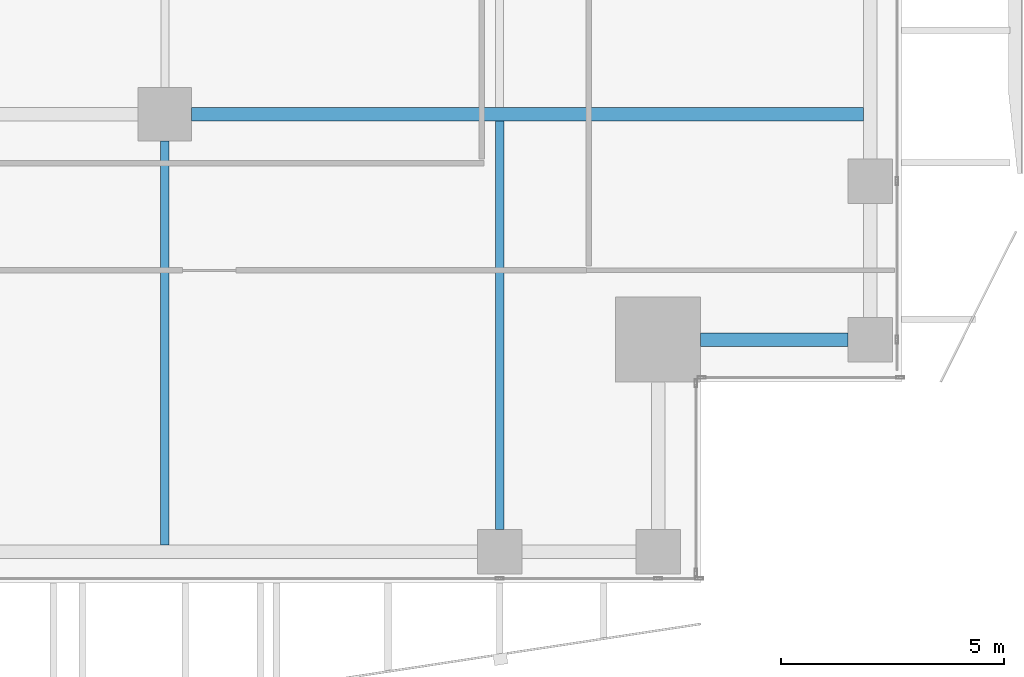
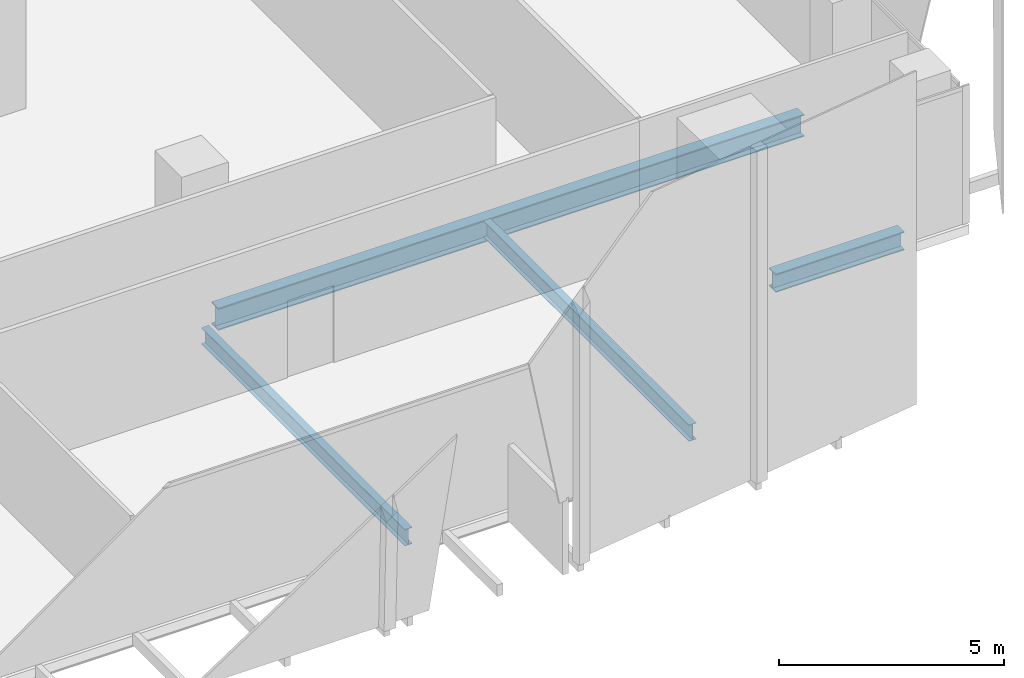
# One storey, part 10 of 35: 4 beams.
"""IFC4 building model written with IfcOpenShell, lengths in metres."""

from ifc_helpers import new_model, si_unit, direction, frame, origin, origin_2d, place, context, subcontext, project, spatial, i_section, extrude, source, transform, mapped, material, material_profile, profile_set, type_object, element, save


model = new_model("IFC4")

# Units and contexts
model_context = context("Model", 3, precision=1e-05, world=origin(), true_north=direction((0.0, 1.0)))
body_context = subcontext(model_context, "Body", "Model", "MODEL_VIEW")
ifc_project = project(units=[si_unit("LENGTHUNIT", "METRE"), si_unit("AREAUNIT", "SQUARE_METRE"), si_unit("VOLUMEUNIT", "CUBIC_METRE"), si_unit("PLANEANGLEUNIT", "RADIAN"), si_unit("MASSUNIT", "GRAM", prefix="KILO")], contexts=[model_context])

# Site, building, storey
site_placement = place(None, origin())
site = spatial("IfcSite", under=ifc_project, at=site_placement, CompositionType="ELEMENT")
building_placement = place(site_placement, origin())
building = spatial("IfcBuilding", under=site, at=building_placement, Name="Khomas Fold Tower", CompositionType="ELEMENT")
storey_placement = place(building_placement, frame((0.0, 0.0, 212.699951171875)))
storey = spatial("IfcBuildingStorey", under=building, at=storey_placement, Name="L47", CompositionType="ELEMENT", Elevation=212.699951171875)

# Beams
ifc_material_1 = material(Name="Steel S355", Category="steel")
ifc_material_profile_1 = material_profile(ifc_material_1, i_section(OverallWidth=0.300048828125, OverallDepth=0.5, WebThickness=0.014404296875, FlangeThickness=0.028076171875, at=origin_2d()), Name="HE 500 B")
ifc_profile_set_1 = profile_set([ifc_material_profile_1], Name="Steel S355")
beam_type_1 = type_object("IfcBeamType", Name="HE 500 B spandrel SB3", PredefinedType="SPANDREL", material=ifc_profile_set_1)
shared_shape_1 = source(origin(), body_context, "Body", "SweptSolid", [
    extrude(i_section(OverallWidth=0.300048828125, OverallDepth=0.5, WebThickness=0.014404296875, FlangeThickness=0.028076171875, at=origin_2d()), origin(), (0.0, 0.0, 1.0), 3.300048828125),
])
beam_1_placement = place(storey_placement, frame((46.5, 8.449951171875, -0.5), z_axis=(1.0, 0.0, 0.0), x_axis=(0.0, 1.0, 0.0)))
element("IfcBeam", 1, at=beam_1_placement, inside=storey, type_object=beam_type_1, Name="SB3", PredefinedType="SPANDREL", context=body_context, shape_type="MappedRepresentation", body=[
    mapped(shared_shape_1, transform((0.0, 0.0, 0.0))),
])
ifc_material_2 = material(Name="Steel S355", Category="steel")
ifc_material_profile_2 = material_profile(ifc_material_2, i_section(OverallWidth=0.300048828125, OverallDepth=0.60009765625, WebThickness=0.015380859375, FlangeThickness=0.030029296875, at=origin_2d()), Name="HE 600 B")
ifc_profile_set_2 = profile_set([ifc_material_profile_2], Name="Steel S355")
beam_type_2 = type_object("IfcBeamType", Name="HE 600 B beam GB5", PredefinedType="BEAM", material=ifc_profile_set_2)
shared_shape_2 = source(origin(), body_context, "Body", "SweptSolid", [
    extrude(i_section(OverallWidth=0.300048828125, OverallDepth=0.60009765625, WebThickness=0.015380859375, FlangeThickness=0.030029296875, at=origin_2d()), origin(), (0.0, 0.0, 1.0), 15.0498046875),
])
beam_2_placement = place(storey_placement, frame((35.10009765625, 13.5, -0.550048828125), z_axis=(1.0, 0.0, 0.0), x_axis=(0.0, 1.0, 0.0)))
element("IfcBeam", 2, at=beam_2_placement, inside=storey, type_object=beam_type_2, Name="GB5", PredefinedType="BEAM", context=body_context, shape_type="MappedRepresentation", body=[
    mapped(shared_shape_2, transform((0.0, 0.0, 0.0))),
])
ifc_material_3 = material(Name="Steel S355", Category="steel")
ifc_material_profile_3 = material_profile(ifc_material_3, i_section(OverallWidth=0.18994140625, OverallDepth=0.449951171875, WebThickness=0.009521484375, FlangeThickness=0.0146484375, at=origin_2d()), Name="IPE 450")
ifc_profile_set_3 = profile_set([ifc_material_profile_3], Name="Steel S355")
beam_type_3 = type_object("IfcBeamType", Name="IPE 450 beam JB4", PredefinedType="BEAM", material=ifc_profile_set_3)
shared_shape_3 = source(origin(), body_context, "Body", "SweptSolid", [
    extrude(i_section(OverallWidth=0.18994140625, OverallDepth=0.449951171875, WebThickness=0.009521484375, FlangeThickness=0.0146484375, at=origin_2d()), origin(), (0.0, 0.0, 1.0), 9.150146484375),
])
beam_3_placement = place(storey_placement, frame((42.0, 4.199951171875, -0.474853515625), z_axis=(0.0, 1.0, 0.0), x_axis=(-1.0, 0.0, 0.0)))
element("IfcBeam", 3, at=beam_3_placement, inside=storey, type_object=beam_type_3, Name="JB4", PredefinedType="BEAM", context=body_context, shape_type="MappedRepresentation", body=[
    mapped(shared_shape_3, transform((0.0, 0.0, 0.0))),
])
shared_shape_4 = source(origin(), body_context, "Body", "SweptSolid", [
    extrude(i_section(OverallWidth=0.18994140625, OverallDepth=0.449951171875, WebThickness=0.009521484375, FlangeThickness=0.0146484375, at=origin_2d()), origin(), (0.0, 0.0, 1.0), 9.0498046875),
])
beam_4_placement = place(storey_placement, frame((34.5, 3.85009765625, -0.474853515625), z_axis=(0.0, 1.0, 0.0), x_axis=(-1.0, 0.0, 0.0)))
element("IfcBeam", 4, at=beam_4_placement, inside=storey, type_object=beam_type_3, Name="JB4", PredefinedType="BEAM", context=body_context, shape_type="MappedRepresentation", body=[
    mapped(shared_shape_4, transform((0.0, 0.0, 0.0))),
])

save(model, "model.ifc")
